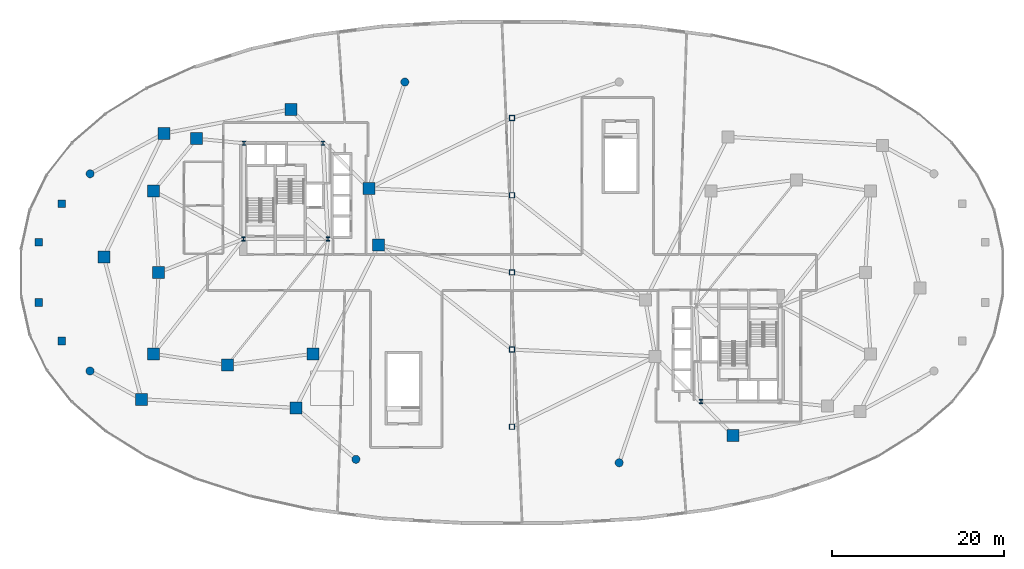
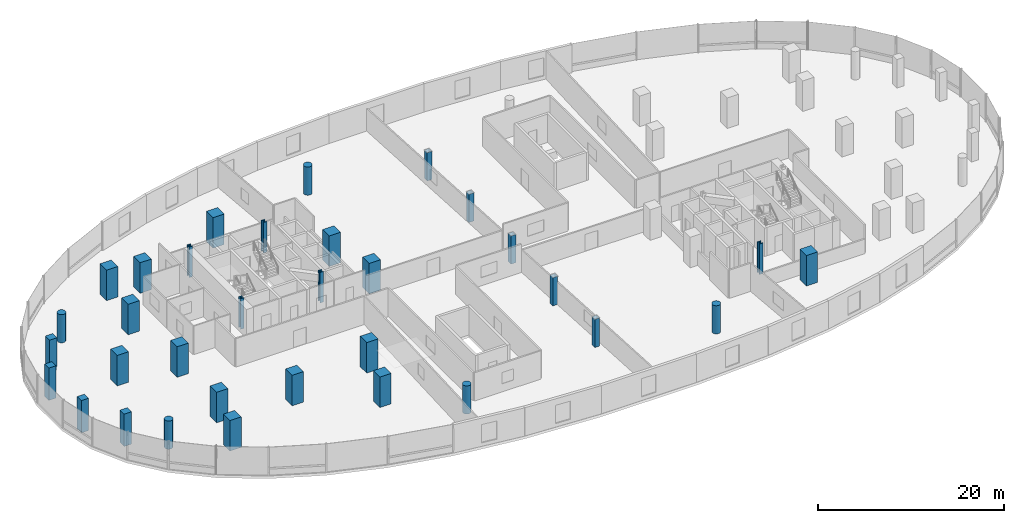
# One storey, part 1 of 18: 33 columns.
"""IFC4 building model written with IfcOpenShell, lengths in metres."""

from ifc_helpers import new_model, si_unit, direction, frame, origin, origin_2d, place, context, subcontext, project, spatial, rectangle, hollow_rectangle, circle, i_section, extrude, material, material_profile, profile_set, type_object, element, save


model = new_model("IFC4")

# Units and contexts
model_context = context("Model", 3, precision=1e-05, world=origin(), true_north=direction((0.0, 1.0)))
body_context = subcontext(model_context, "Body", "Model", "MODEL_VIEW")
ifc_project = project(units=[si_unit("LENGTHUNIT", "METRE"), si_unit("AREAUNIT", "SQUARE_METRE"), si_unit("VOLUMEUNIT", "CUBIC_METRE"), si_unit("PLANEANGLEUNIT", "RADIAN"), si_unit("MASSUNIT", "GRAM", prefix="KILO"), si_unit("THERMODYNAMICTEMPERATUREUNIT", "KELVIN"), si_unit("POWERUNIT", "WATT")], contexts=[model_context])

# Site, building, storey
site_placement = place(None, origin())
site = spatial("IfcSite", under=ifc_project, at=site_placement, CompositionType="ELEMENT")
building_placement = place(site_placement, origin())
building = spatial("IfcBuilding", under=site, at=building_placement, Name="Cundina Bronze Exchange", CompositionType="ELEMENT")
storey_placement = place(building_placement, frame((0.0, 0.0, 20.0)))
storey = spatial("IfcBuildingStorey", under=building, at=storey_placement, Name="L04", CompositionType="ELEMENT", Elevation=20.0)

# Columns
ifc_material_1 = material(Name="Concrete C60/75", Category="concrete")
ifc_material_profile_1 = material_profile(ifc_material_1, rectangle(XDim=1.39990234375, YDim=1.39990234375, at=origin_2d()), Name="RC1400X1400", Category="concrete")
ifc_profile_set_1 = profile_set([ifc_material_profile_1], Name="Concrete C60/75")
column_type_1 = type_object("IfcColumnType", Name="COL-MEGA-1400", PredefinedType="COLUMN", material=ifc_profile_set_1)
for number, where, z_axis, x_axis, name in (
    (1, (-41.199951171875, 0.0, 0.0), (0.0, 0.0, 1.0), (1.0, 0.0, 0.0), "L04 W Inner Ring Column 1"),
    (2, (-41.800048828125, 9.5, 0.0), (0.0, 0.0, 1.0), (1.0, 0.0, 0.0), "L04 W Inner Ring Column 2"),
    (3, (-36.800048828125, 15.60009765625, 0.0), (0.0, 0.0, 1.0), (1.0, 0.0, 0.0), "L04 W Inner Ring Column 3"),
    (4, (-41.800048828125, -9.5, 0.0), (0.0, 0.0, 1.0), (1.0, 0.0, 0.0), "L04 W Inner Ring Column 4"),
    (5, (-33.199951171875, -10.800048828125, 0.0), (0.0, 0.0, 1.0), (1.0, 0.0, 0.0), "L04 W Inner Ring Column 5"),
    (6, (-23.199951171875, -9.5, 0.0), (0.0, 0.0, 1.0), (1.0, 0.0, 0.0), "L04 W Inner Ring Column 6"),
    (7, (-15.550048828125, 3.199951171875, 0.0), (0.0, 0.0, 1.0), (1.0, 0.0, 0.0), "L04 W Podium Mega-Column 00"),
    (8, (-16.699951171875, 9.800048828125, 0.0), (0.0, 0.0, 1.0), (1.0, 0.0, 0.0), "L04 W Podium Mega-Column 02"),
    (9, (-25.800048828125, 19.0, 0.0), (0.0, 0.0, 1.0), (1.0, 0.0, 0.0), "L04 W Podium Mega-Column 04"),
    (10, (-40.60009765625, 16.199951171875, 0.0), (0.0, 0.0, 1.0), (1.0, 0.0, 0.0), "L04 W Podium Mega-Column 06"),
    (11, (-47.60009765625, 1.800048828125, 0.0), (0.0, 0.0, 1.0), (1.0, 0.0, 0.0), "L04 W Podium Mega-Column 08"),
    (12, (-43.199951171875, -14.800048828125, 0.0), (0.0, 0.0, 1.0), (1.0, 0.0, 0.0), "L04 W Podium Mega-Column 10"),
    (13, (-25.199951171875, -15.800048828125, 0.0), (0.0, 0.0, 1.0), (1.0, 0.0, 0.0), "L04 W Podium Mega-Column 12"),
    (14, (25.800048828125, -19.0, 0.0), (0.0, 0.0, 1.0), (1.0, 0.0, 0.0), "L04 E Podium Mega-Column 04"),
):
    element("IfcColumn", number, at=place(storey_placement, frame(where, z_axis=z_axis, x_axis=x_axis)), inside=storey, type_object=column_type_1, Name=name, PredefinedType="COLUMN", context=body_context, shape_type="SweptSolid", body=[
        extrude(rectangle(XDim=1.39990234375, YDim=1.39990234375, at=origin_2d()), origin(), (0.0, 0.0, 1.0), 4.0),
    ])
ifc_material_2 = material(Name="Concrete C50/60", Category="concrete")
ifc_material_profile_2 = material_profile(ifc_material_2, circle(Radius=0.47509765625, at=origin_2d()), Name="RC950D", Category="concrete")
ifc_profile_set_2 = profile_set([ifc_material_profile_2], Name="Concrete C50/60")
column_type_2 = type_object("IfcColumnType", Name="COL-PIL-950D", PredefinedType="PILASTER", material=ifc_profile_set_2)
for number, where, z_axis, x_axis, name in (
    (15, (-49.199951171875, 11.5, 0.0), (0.0, 0.0, 1.0), (1.0, 0.0, 0.0), "L04 Podium Colonnade Pilaster 01"),
    (16, (-49.199951171875, -11.5, 0.0), (0.0, 0.0, 1.0), (1.0, 0.0, 0.0), "L04 Podium Colonnade Pilaster 02"),
    (17, (-12.5, 22.199951171875, 0.0), (0.0, 0.0, 1.0), (1.0, 0.0, 0.0), "L04 Podium Colonnade Pilaster 03"),
    (18, (12.5, -22.199951171875, 0.0), (0.0, 0.0, 1.0), (1.0, 0.0, 0.0), "L04 Podium Colonnade Pilaster 05"),
    (19, (-18.199951171875, -21.800048828125, 0.0), (0.0, 0.0, 1.0), (1.0, 0.0, 0.0), "L04 Podium Colonnade Pilaster 06"),
):
    element("IfcColumn", number, at=place(storey_placement, frame(where, z_axis=z_axis, x_axis=x_axis)), inside=storey, type_object=column_type_2, Name=name, PredefinedType="PILASTER", context=body_context, shape_type="SweptSolid", body=[
        extrude(circle(Radius=0.47509765625, at=origin_2d()), origin(), (0.0, 0.0, 1.0), 3.695068359375),
    ])
ifc_material_3 = material(Name="Steel ASTM A501 Grade B", Category="steel")
ifc_material_profile_3 = material_profile(ifc_material_3, hollow_rectangle(XDim=0.60009765625, YDim=0.60009765625, WallThickness=0.031982421875, at=origin_2d()), Name="HSS600X600X32", Category="steel")
ifc_profile_set_3 = profile_set([ifc_material_profile_3], Name="Steel ASTM A501 Grade B")
column_type_3 = type_object("IfcColumnType", Name="COL-STL-HSS6", PredefinedType="COLUMN", material=ifc_profile_set_3)
for number, where, z_axis, x_axis, name in (
    (20, (0.0, -18.0, 0.0), (0.0, 0.0, 1.0), (1.0, 0.0, 0.0), "L04 Concourse Spine Column 01"),
    (21, (0.0, -9.0, 0.0), (0.0, 0.0, 1.0), (1.0, 0.0, 0.0), "L04 Concourse Spine Column 02"),
    (22, (0.0, 0.0, 0.0), (0.0, 0.0, 1.0), (1.0, 0.0, 0.0), "L04 Concourse Spine Column 03"),
    (23, (0.0, 9.0, 0.0), (0.0, 0.0, 1.0), (1.0, 0.0, 0.0), "L04 Concourse Spine Column 04"),
    (24, (0.0, 18.0, 0.0), (0.0, 0.0, 1.0), (1.0, 0.0, 0.0), "L04 Concourse Spine Column 05"),
):
    element("IfcColumn", number, at=place(storey_placement, frame(where, z_axis=z_axis, x_axis=x_axis)), inside=storey, type_object=column_type_3, Name=name, PredefinedType="COLUMN", context=body_context, shape_type="SweptSolid", body=[
        extrude(hollow_rectangle(XDim=0.60009765625, YDim=0.60009765625, WallThickness=0.031982421875, at=origin_2d()), origin(), (0.0, 0.0, 1.0), 3.695068359375),
    ])
ifc_material_4 = material(Name="Steel ASTM A992 Grade 50", Category="steel")
ifc_material_profile_4 = material_profile(ifc_material_4, i_section(OverallWidth=0.431884765625, OverallDepth=0.498046875, WebThickness=0.0556640625, FlangeThickness=0.0888671875, FilletRadius=0.01806640625, at=origin_2d()), Name="W14X500", Category="steel")
ifc_profile_set_4 = profile_set([ifc_material_profile_4], Name="Steel ASTM A992 Grade 50")
column_type_4 = type_object("IfcColumnType", Name="COL-STL-W14A", PredefinedType="COLUMN", material=ifc_profile_set_4)
for number, where, z_axis, x_axis, name in (
    (25, (-31.300048828125, 3.89990234375, 0.0), (0.0, 0.0, 1.0), (1.0, 0.0, 0.0), "L04 Core Anchor Column W1"),
    (26, (-21.449951171875, 3.89990234375, 0.0), (0.0, 0.0, 1.0), (1.0, 0.0, 0.0), "L04 Core Anchor Column W2"),
    (27, (-22.050048828125, 15.050048828125, 0.0), (0.0, 0.0, 1.0), (1.0, 0.0, 0.0), "L04 Core Anchor Column W3"),
    (28, (-31.25, 15.050048828125, 0.0), (0.0, 0.0, 1.0), (1.0, 0.0, 0.0), "L04 Core Anchor Column W4"),
    (29, (22.050048828125, -15.050048828125, 0.0), (0.0, 0.0, 1.0), (1.0, 0.0, 0.0), "L04 Core Anchor Column E3"),
):
    element("IfcColumn", number, at=place(storey_placement, frame(where, z_axis=z_axis, x_axis=x_axis)), inside=storey, type_object=column_type_4, Name=name, PredefinedType="COLUMN", context=body_context, shape_type="SweptSolid", body=[
        extrude(i_section(OverallWidth=0.431884765625, OverallDepth=0.498046875, WebThickness=0.0556640625, FlangeThickness=0.0888671875, FilletRadius=0.01806640625, at=origin_2d()), origin(), (0.0, 0.0, 1.0), 4.0),
    ])
ifc_material_profile_5 = material_profile(ifc_material_2, rectangle(XDim=0.89990234375, YDim=0.89990234375, at=origin_2d()), Name="RC900X900", Category="concrete")
ifc_profile_set_5 = profile_set([ifc_material_profile_5], Name="Concrete C50/60")
column_type_5 = type_object("IfcColumnType", Name="COL-Z4-900", PredefinedType="COLUMN", material=ifc_profile_set_5)
for number, where, z_axis, x_axis, name in (
    (30, (-52.5, -8.0, -0.5), (0.0, 0.0, 1.0), (1.0, 0.0, 0.0), "L04 Podium Crescent Wing Column W1"),
    (31, (-52.5, 8.0, -0.5), (0.0, 0.0, 1.0), (1.0, 0.0, 0.0), "L04 Podium Crescent Wing Column W2"),
    (32, (-55.199951171875, -3.5, -0.5), (0.0, 0.0, 1.0), (1.0, 0.0, 0.0), "L04 Podium Crescent Wing Column W3"),
    (33, (-55.199951171875, 3.5, -0.5), (0.0, 0.0, 1.0), (1.0, 0.0, 0.0), "L04 Podium Crescent Wing Column W4"),
):
    element("IfcColumn", number, at=place(storey_placement, frame(where, z_axis=z_axis, x_axis=x_axis)), inside=storey, type_object=column_type_5, Name=name, PredefinedType="COLUMN", context=body_context, shape_type="SweptSolid", body=[
        extrude(rectangle(XDim=0.89990234375, YDim=0.89990234375, at=origin_2d()), origin(), (0.0, 0.0, 1.0), 4.22998046875),
    ])

save(model, "model.ifc")
